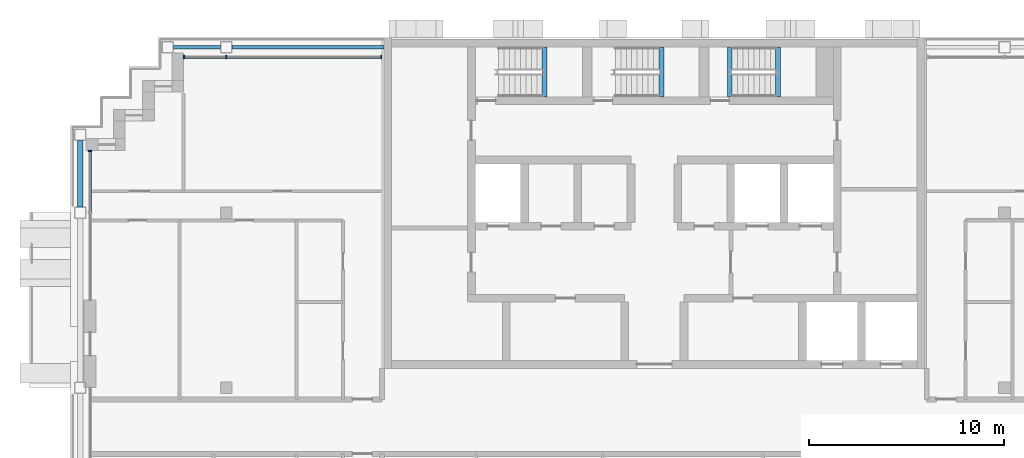
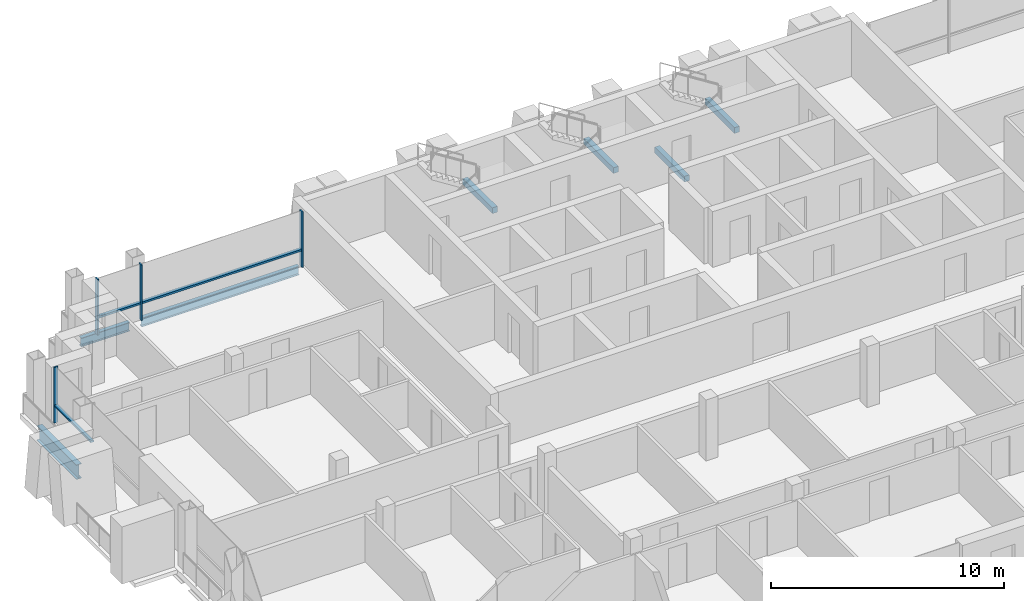
# One storey, part 4 of 15: 7 beams, 7 members, 2 elements without a shape of their own.
"""IFC4 building model written with IfcOpenShell, lengths in metres."""

from ifc_helpers import new_model, si_unit, direction, frame, origin, origin_2d, place, context, subcontext, project, spatial, rectangle, i_section, extrude, material, material_profile, profile_set, type_object, element, aggregate, save


model = new_model("IFC4")

# Units and contexts
model_context = context("Model", 3, precision=1e-05, world=origin(), true_north=direction((0.0, 1.0)))
body_context = subcontext(model_context, "Body", "Model", "MODEL_VIEW")
ifc_project = project(units=[si_unit("LENGTHUNIT", "METRE"), si_unit("AREAUNIT", "SQUARE_METRE"), si_unit("VOLUMEUNIT", "CUBIC_METRE"), si_unit("PLANEANGLEUNIT", "RADIAN"), si_unit("MASSUNIT", "GRAM", prefix="KILO")], contexts=[model_context])

# Site, building, storey
site_placement = place(None, origin())
site = spatial("IfcSite", under=ifc_project, at=site_placement, CompositionType="ELEMENT")
building_placement = place(site_placement, origin())
building = spatial("IfcBuilding", under=site, at=building_placement, Name="Vidyagriha Tower", CompositionType="ELEMENT")
storey_placement = place(building_placement, frame((0.0, 0.0, 210.800048828125)))
storey = spatial("IfcBuildingStorey", under=building, at=storey_placement, Name="L54", CompositionType="ELEMENT", Elevation=210.800048828125)

# Beams
ifc_material_1 = material(Name="Steel ASTM A992 Grade 50", Category="steel")
ifc_material_profile_1 = material_profile(ifc_material_1, i_section(OverallWidth=0.2666015625, OverallDepth=0.76953125, WebThickness=0.015625, FlangeThickness=0.025390625, at=origin_2d()), Name="W30X132")
ifc_profile_set_1 = profile_set([ifc_material_profile_1], Name="Steel ASTM A992 Grade 50")
beam_type_1 = type_object("IfcBeamType", Name="Cantilever edge beam W30X132", PredefinedType="SPANDREL", material=ifc_profile_set_1)
beam_1_placement = place(storey_placement, frame((-29.5, 11.300048828125, -0.664794921875), z_axis=(0.0, 1.0, 0.0), x_axis=(-1.0, 0.0, 0.0)))
element("IfcBeam", 1, at=beam_1_placement, inside=storey, type_object=beam_type_1, Name="st-beam-L54-W12", PredefinedType="SPANDREL", context=body_context, shape_type="SweptSolid", body=[
    extrude(i_section(OverallWidth=0.2666015625, OverallDepth=0.76953125, WebThickness=0.015625, FlangeThickness=0.025390625, at=origin_2d()), origin(), (0.0, 0.0, 1.0), 3.39990234375),
])
ifc_material_2 = material(Name="Steel ASTM A992 Grade 50", Category="steel")
ifc_material_profile_2 = material_profile(ifc_material_2, i_section(OverallWidth=0.19189453125, OverallDepth=0.46240234375, WebThickness=0.010498046875, FlangeThickness=0.017578125, at=origin_2d()), Name="W18X60")
ifc_profile_set_2 = profile_set([ifc_material_profile_2], Name="Steel ASTM A992 Grade 50")
beam_type_2 = type_object("IfcBeamType", Name="Edge beam W18X60", PredefinedType="SPANDREL", material=ifc_profile_set_2)
beam_2_placement = place(storey_placement, frame((-24.699951171875, 19.5, -0.51123046875), z_axis=(1.0, 0.0, 0.0), x_axis=(0.0, 1.0, 0.0)))
element("IfcBeam", 2, at=beam_2_placement, inside=storey, type_object=beam_type_2, Name="st-beam-L54-NW18", PredefinedType="SPANDREL", context=body_context, shape_type="SweptSolid", body=[
    extrude(i_section(OverallWidth=0.19189453125, OverallDepth=0.46240234375, WebThickness=0.010498046875, FlangeThickness=0.017578125, at=origin_2d()), origin(), (0.0, 0.0, 1.0), 2.39990234375),
])
beam_3_placement = place(storey_placement, frame((-21.699951171875, 19.5, -0.51123046875), z_axis=(1.0, 0.0, 0.0), x_axis=(0.0, 1.0, 0.0)))
element("IfcBeam", 3, at=beam_3_placement, inside=storey, type_object=beam_type_2, Name="st-beam-L54-NC20", PredefinedType="SPANDREL", context=body_context, shape_type="SweptSolid", body=[
    extrude(i_section(OverallWidth=0.19189453125, OverallDepth=0.46240234375, WebThickness=0.010498046875, FlangeThickness=0.017578125, at=origin_2d()), origin(), (0.0, 0.0, 1.0), 7.800048828125),
])

# Curtain wall, members
ifc_material_3 = material(Name="Aluminium and glass curtain wall", Category="aluminium")
curtain_wall_type = type_object("IfcCurtainWallType", Name="Dwelling skin unitised curtain wall", PredefinedType="USERDEFINED", material=ifc_material_3)
curtain_wall_1_placement = place(storey_placement, origin())
curtain_wall_1 = element("IfcCurtainWall", 4, at=curtain_wall_1_placement, inside=storey, type_object=curtain_wall_type, Name="CW1 dwelling skin", ObjectType="UNITISED", PredefinedType="USERDEFINED")
ifc_material_4 = material(Name="Aluminium black anodised", Category="aluminium")
ifc_material_profile_3 = material_profile(ifc_material_4, rectangle(XDim=0.199951171875, YDim=0.070068359375, at=origin_2d()), Name="Mullion 70x200 black aluminium")
ifc_profile_set_3 = profile_set([ifc_material_profile_3], Name="Aluminium black anodised")
member_type_1 = type_object("IfcMemberType", Name="Mullion 70x200 black aluminium", PredefinedType="MULLION", material=ifc_profile_set_3)
member_1_placement = place(storey_placement, frame((-14.034912109375, 19.0, 0.0), z_axis=(0.0, 0.0, 1.0), x_axis=(0.0, -1.0, 0.0)))
member_1 = element("IfcMember", 5, at=member_1_placement, type_object=member_type_1, Name="CW1 mullion 1", PredefinedType="MULLION", context=body_context, shape_type="SweptSolid", body=[
    extrude(rectangle(XDim=0.199951171875, YDim=0.070068359375, at=origin_2d()), origin(), (0.0, 0.0, 1.0), 2.919921875),
])
member_2_placement = place(storey_placement, frame((-22.0, 19.0, 0.0), z_axis=(0.0, 0.0, 1.0), x_axis=(0.0, -1.0, 0.0)))
member_2 = element("IfcMember", 6, at=member_2_placement, type_object=member_type_1, Name="CW1 mullion 2", PredefinedType="MULLION", context=body_context, shape_type="SweptSolid", body=[
    extrude(rectangle(XDim=0.199951171875, YDim=0.070068359375, at=origin_2d()), origin(), (0.0, 0.0, 1.0), 2.919921875),
])
member_3_placement = place(storey_placement, frame((-24.1650390625, 19.0, 0.0), z_axis=(0.0, 0.0, 1.0), x_axis=(0.0, -1.0, 0.0)))
member_3 = element("IfcMember", 7, at=member_3_placement, type_object=member_type_1, Name="CW1 mullion 3", PredefinedType="MULLION", context=body_context, shape_type="SweptSolid", body=[
    extrude(rectangle(XDim=0.199951171875, YDim=0.070068359375, at=origin_2d()), origin(), (0.0, 0.0, 1.0), 2.919921875),
])

# Curtain wall, member
curtain_wall_2_placement = place(storey_placement, origin())
curtain_wall_2 = element("IfcCurtainWall", 8, at=curtain_wall_2_placement, inside=storey, type_object=curtain_wall_type, Name="CW1 dwelling skin", ObjectType="UNITISED", PredefinedType="USERDEFINED")
member_4_placement = place(storey_placement, frame((-29.0, 14.1650390625, 0.0)))
member_4 = element("IfcMember", 9, at=member_4_placement, type_object=member_type_1, Name="CW1 mullion 1", PredefinedType="MULLION", context=body_context, shape_type="SweptSolid", body=[
    extrude(rectangle(XDim=0.199951171875, YDim=0.070068359375, at=origin_2d()), origin(), (0.0, 0.0, 1.0), 2.919921875),
])

# Beams
ifc_material_5 = material(Name="Concrete C40/50", Category="concrete")
ifc_material_profile_4 = material_profile(ifc_material_5, rectangle(XDim=0.25, YDim=0.300048828125, at=origin_2d()), Name="Stair landing bearing beam 250x300")
ifc_profile_set_4 = profile_set([ifc_material_profile_4], Name="Concrete C40/50")
beam_type_3 = type_object("IfcBeamType", Name="Stair landing bearing beam 250x300", PredefinedType="BEAM", material=ifc_profile_set_4)
for number, where, z_axis, x_axis, name in (
    (10, (3.875, 16.949951171875, -0.429931640625), (0.0, 1.0, 0.0), (-1.0, 0.0, 0.0), "ST3 floor landing bearing beam L54"),
    (11, (-5.635009765625, 16.949951171875, 1.25), (0.0, 1.0, 0.0), (-1.0, 0.0, 0.0), "ST1 landing bearing beam L54"),
    (12, (0.364990234375, 16.949951171875, 1.25), (0.0, 1.0, 0.0), (-1.0, 0.0, 0.0), "ST2 landing bearing beam L54"),
    (13, (6.364990234375, 16.949951171875, 1.25), (0.0, 1.0, 0.0), (-1.0, 0.0, 0.0), "ST3 landing bearing beam L54"),
):
    element("IfcBeam", number, at=place(storey_placement, frame(where, z_axis=z_axis, x_axis=x_axis)), inside=storey, type_object=beam_type_3, Name=name, PredefinedType="BEAM", context=body_context, shape_type="SweptSolid", body=[
        extrude(rectangle(XDim=0.25, YDim=0.300048828125, at=origin_2d()), origin(), (0.0, 0.0, 1.0), 2.550048828125),
    ])

# Member
ifc_material_6 = material(Name="Aluminium black anodised", Category="aluminium")
ifc_material_profile_5 = material_profile(ifc_material_6, rectangle(XDim=0.159912109375, YDim=0.10009765625, at=origin_2d()), Name="Transom 100x160 black aluminium")
ifc_profile_set_5 = profile_set([ifc_material_profile_5], Name="Aluminium black anodised")
member_type_2 = type_object("IfcMemberType", Name="Transom 100x160 black aluminium", PredefinedType="USERDEFINED", material=ifc_profile_set_5)
member_5_placement = place(storey_placement, frame((-14.070068359375, 19.0, 0.89990234375), z_axis=(-1.0, 0.0, 0.0), x_axis=(0.0, -1.0, 0.0)))
member_5 = element("IfcMember", 14, at=member_5_placement, type_object=member_type_2, Name="CW1 transom 1.1", ObjectType="TRANSOM", PredefinedType="USERDEFINED", context=body_context, shape_type="SweptSolid", body=[
    extrude(rectangle(XDim=0.159912109375, YDim=0.10009765625, at=origin_2d()), origin(), (0.0, 0.0, 1.0), 7.89501953125),
])

member_6_placement = place(storey_placement, frame((-22.034912109375, 19.0, 0.89990234375), z_axis=(-1.0, 0.0, 0.0), x_axis=(0.0, -1.0, 0.0)))
member_6 = element("IfcMember", 15, at=member_6_placement, type_object=member_type_2, Name="CW1 transom 2.1", ObjectType="TRANSOM", PredefinedType="USERDEFINED", context=body_context, shape_type="SweptSolid", body=[
    extrude(rectangle(XDim=0.159912109375, YDim=0.10009765625, at=origin_2d()), origin(), (0.0, 0.0, 1.0), 2.094970703125),
])

aggregate(curtain_wall_1, [member_1, member_2, member_3, member_5, member_6])

member_7_placement = place(storey_placement, frame((-29.0, 14.1298828125, 0.89990234375), z_axis=(0.0, -1.0, 0.0), x_axis=(1.0, 0.0, 0.0)))
member_7 = element("IfcMember", 16, at=member_7_placement, type_object=member_type_2, Name="CW1 transom 1.1", ObjectType="TRANSOM", PredefinedType="USERDEFINED", context=body_context, shape_type="SweptSolid", body=[
    extrude(rectangle(XDim=0.159912109375, YDim=0.10009765625, at=origin_2d()), origin(), (0.0, 0.0, 1.0), 3.094970703125),
])

aggregate(curtain_wall_2, [member_4, member_7])

save(model, "model.ifc")
